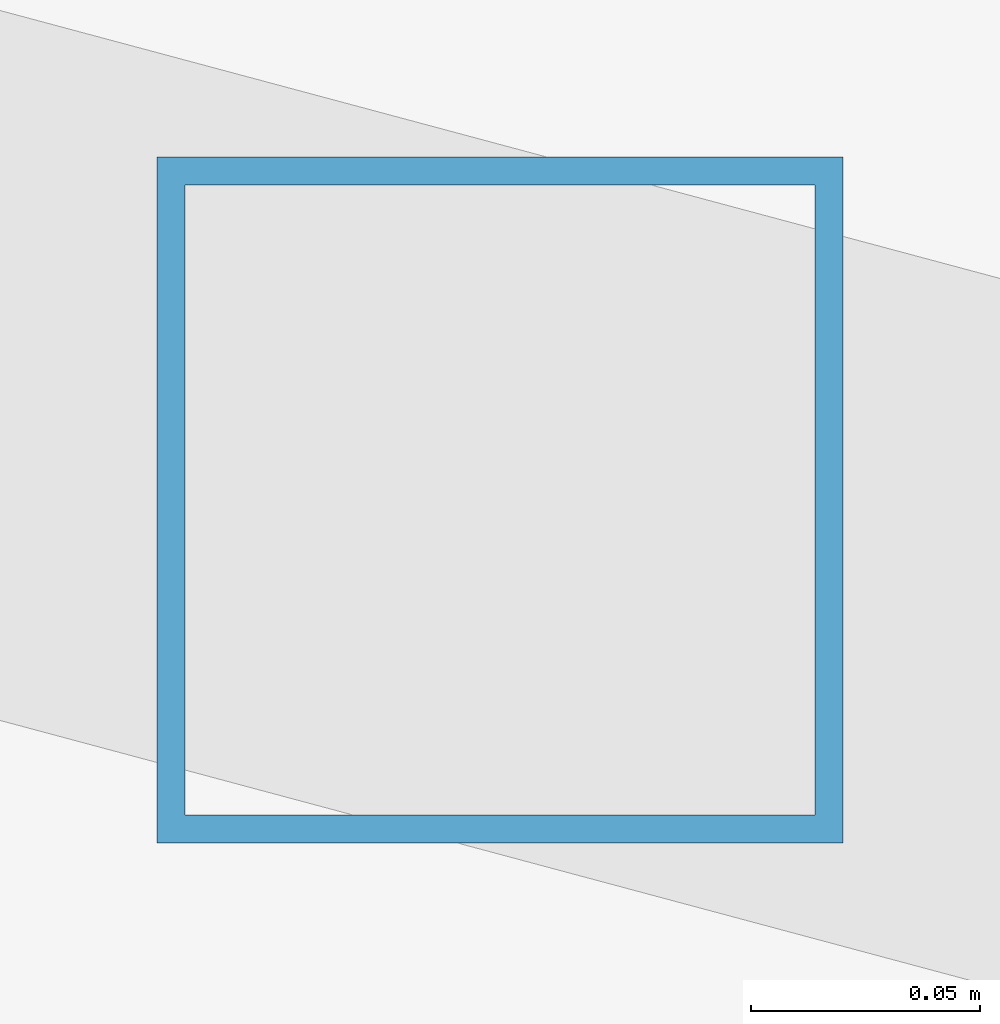
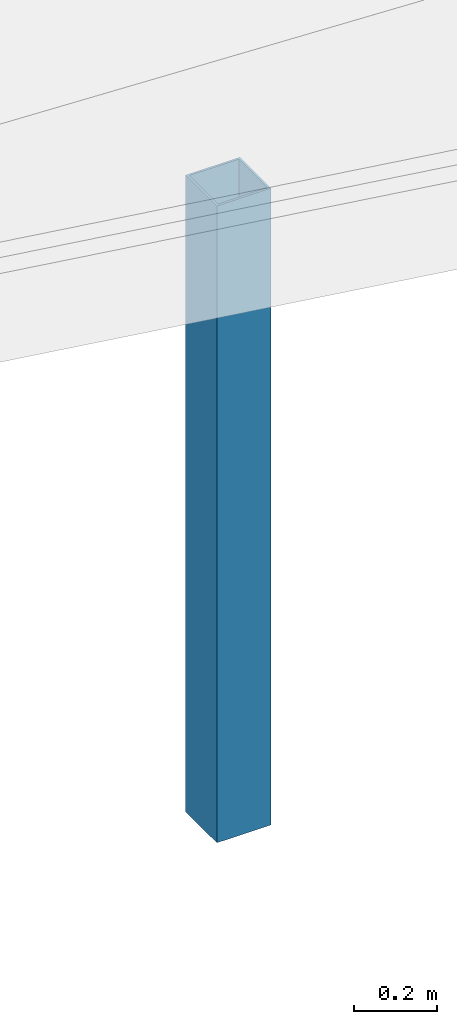
# One storey, part 110 of 200: 1 member.
"""IFC4 building model written with IfcOpenShell, lengths in metres."""

from ifc_helpers import new_model, si_unit, direction, frame, origin, origin_2d, place, context, subcontext, project, spatial, hollow_rectangle, extrude, material, material_profile, profile_set, type_object, element, save


model = new_model("IFC4")

# Units and contexts
model_context = context("Model", 3, precision=1e-05, world=origin(), true_north=direction((0.0, 1.0)))
body_context = subcontext(model_context, "Body", "Model", "MODEL_VIEW")
ifc_project = project(units=[si_unit("LENGTHUNIT", "METRE"), si_unit("AREAUNIT", "SQUARE_METRE"), si_unit("VOLUMEUNIT", "CUBIC_METRE"), si_unit("PLANEANGLEUNIT", "RADIAN"), si_unit("MASSUNIT", "GRAM", prefix="KILO")], contexts=[model_context])

# Site, building, storey
site_placement = place(None, origin())
site = spatial("IfcSite", under=ifc_project, at=site_placement, CompositionType="ELEMENT")
building_placement = place(site_placement, origin())
building = spatial("IfcBuilding", under=site, at=building_placement, Name="Vondelvale Polytechnic", CompositionType="ELEMENT")
storey_placement = place(building_placement, frame((0.0, 0.0, 13.800048828125)))
storey = spatial("IfcBuildingStorey", under=building, at=storey_placement, Name="L03", CompositionType="ELEMENT", Elevation=13.800048828125)

# Member
ifc_material = material(Name="Steel C350L0 (fy = 350 MPa)", Category="steel")
ifc_material_profile = material_profile(ifc_material, hollow_rectangle(XDim=0.14990234375, YDim=0.14990234375, WallThickness=0.006103515625, at=origin_2d()), Name="150x150x6.0SHS")
ifc_profile_set = profile_set([ifc_material_profile], Name="Steel C350L0 (fy = 350 MPa)")
member_type = type_object("IfcMemberType", Name="ROOF TRUSS POST 150SHS", PredefinedType="POST", material=ifc_profile_set)
member_placement = place(storey_placement, frame((137.7392578125, 62.423583984375, 0.0), z_axis=(0.0, 0.0, 1.0), x_axis=(1.0, 0.0, 0.0)))
element("IfcMember", 1, at=member_placement, inside=storey, type_object=member_type, Name="Ring mid roof post 23", PredefinedType="POST", context=body_context, shape_type="SweptSolid", body=[
    extrude(hollow_rectangle(XDim=0.14990234375, YDim=0.14990234375, WallThickness=0.006103515625, at=origin_2d()), origin(), (0.0, 0.0, 1.0), 1.86572265625),
])

save(model, "model.ifc")
